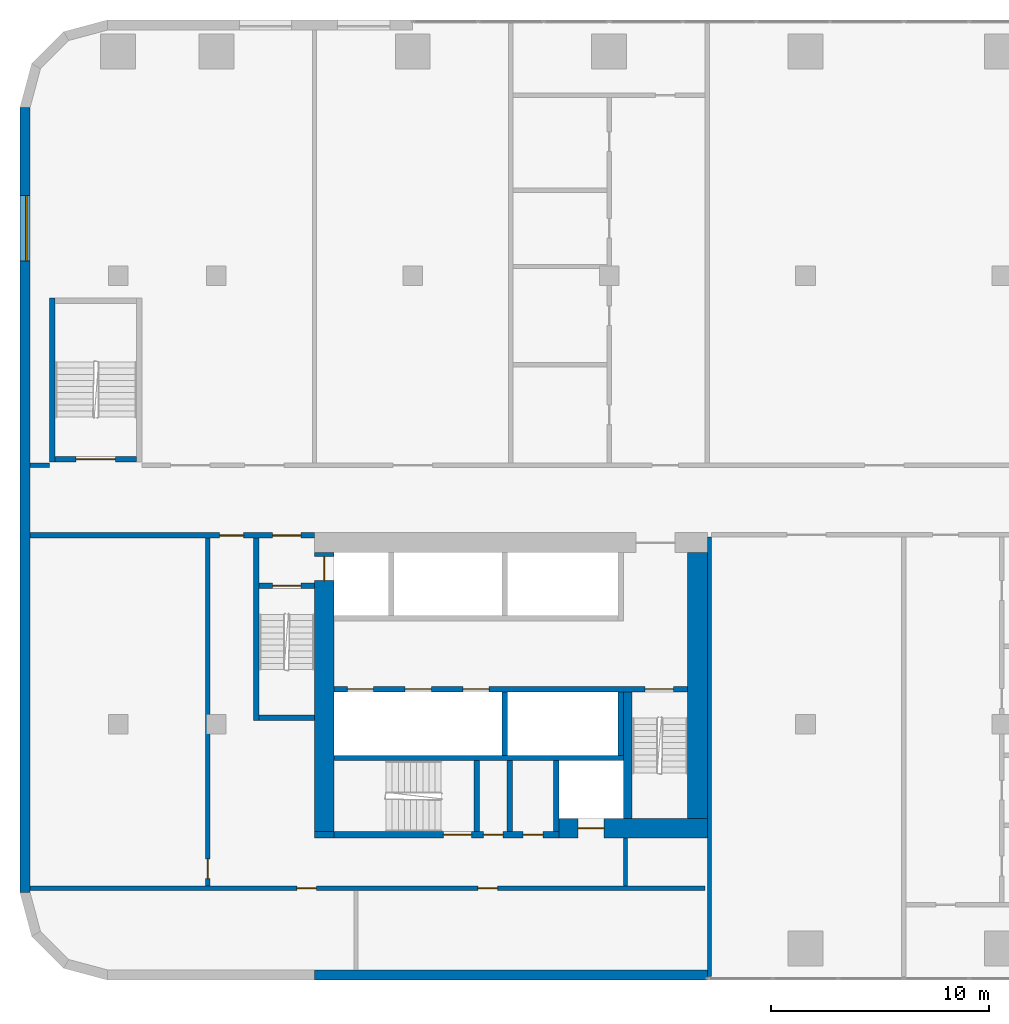
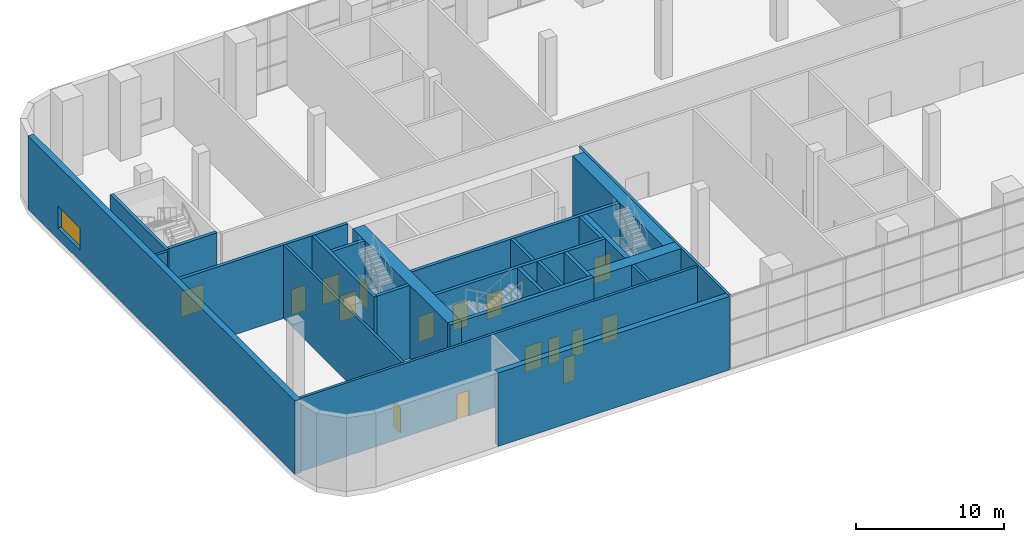
# One storey, part 8 of 24: 26 walls, 16 doors, 1 window, 17 openings.
"""IFC4 building model written with IfcOpenShell, lengths in metres."""

from ifc_helpers import new_model, si_unit, direction, frame, frame_2d, origin, place, context, subcontext, project, spatial, rectangle, extrude, material, layer, layer_set, type_object, element, fill, save


model = new_model("IFC4")

# Units and contexts
model_context = context("Model", 3, precision=1e-05, world=origin(), true_north=direction((0.0, 1.0)))
body_context = subcontext(model_context, "Body", "Model", "MODEL_VIEW")
ifc_project = project(units=[si_unit("LENGTHUNIT", "METRE"), si_unit("AREAUNIT", "SQUARE_METRE"), si_unit("VOLUMEUNIT", "CUBIC_METRE"), si_unit("PLANEANGLEUNIT", "RADIAN"), si_unit("MASSUNIT", "GRAM", prefix="KILO")], contexts=[model_context])

# Site, building, storey
site_placement = place(None, origin())
site = spatial("IfcSite", under=ifc_project, at=site_placement, CompositionType="ELEMENT")
building_placement = place(site_placement, origin())
building = spatial("IfcBuilding", under=site, at=building_placement, Name="Kajstack Hotel Tower", CompositionType="ELEMENT")
storey_placement = place(building_placement, frame((0.0, 0.0, 17.0)))
storey = spatial("IfcBuildingStorey", under=building, at=storey_placement, Name="L02", CompositionType="ELEMENT", Elevation=17.0)

# Wall, opening, door
ifc_material_1 = material(Name="Concrete C60/75", Category="concrete")
ifc_layer_1 = layer(ifc_material_1, 0.89990234375)
ifc_layer_set_1 = layer_set([ifc_layer_1], Name="Core wall 900")
wall_type_1 = type_object("IfcWallType", Name="Core wall 900", PredefinedType="SHEAR", material=ifc_layer_set_1)
wall_1_placement = place(storey_placement, frame((-20.300048828125, -15.050048828125, 0.0), z_axis=(0.0, 0.0, 1.0), x_axis=(1.0, 0.0, 0.0)))
wall_1 = element("IfcWall", 1, at=wall_1_placement, inside=storey, type_object=wall_type_1, Name="Core wall W RS", PredefinedType="SHEAR", context=body_context, shape_type="SweptSolid", body=[
    extrude(rectangle(XDim=6.800048828125, YDim=0.89990234375, at=frame_2d((3.39990234375, 0.0))), origin(), (0.0, 0.0, 1.0), 6.050048828125),
])
opening_1_placement = place(wall_1_placement, frame((0.875, 0.0, 0.0)))
opening_1 = element("IfcOpeningElement", 2, at=opening_1_placement, cuts=wall_1, Name="Opening LD-SV1", PredefinedType="OPENING", context=body_context, shape_type="SweptSolid", body=[
    extrude(rectangle(XDim=1.199951171875, YDim=2.10009765625, at=frame_2d((0.60009765625, 1.050048828125))), frame((0.0, 0.4599609375, 0.0), z_axis=(0.0, -1.0, 0.0), x_axis=(1.0, 0.0, 0.0)), (0.0, 0.0, 1.0), 0.919921875),
])
ifc_material_2 = material(Name="Stainless steel", Category="steel")
door_type_1 = type_object("IfcDoorType", Name="Lift landing door 1200", OperationType="SLIDING_TO_LEFT", PredefinedType="DOOR", material=ifc_material_2)
door_1_placement = place(opening_1_placement, origin())
door_1 = element("IfcDoor", 3, at=door_1_placement, inside=storey, type_object=door_type_1, Name="Landing door SV1", OperationType="SLIDING_TO_LEFT", OverallHeight=2.10009765625, OverallWidth=1.199951171875, PredefinedType="DOOR", context=body_context, shape_type="SweptSolid", body=[
    extrude(rectangle(XDim=1.199951171875, YDim=2.10009765625, at=frame_2d((0.60009765625, 1.050048828125))), frame((0.0, 0.02490234375, 0.0), z_axis=(0.0, -1.0, 0.0), x_axis=(1.0, 0.0, 0.0)), (0.0, 0.0, 1.0), 0.050048828125),
])
fill(opening_1, door_1)

# Wall
wall_2_placement = place(storey_placement, frame((-31.5, -15.35009765625, 0.0), z_axis=(0.0, 0.0, 1.0), x_axis=(1.0, 0.0, 0.0)))
element("IfcWall", 4, at=wall_2_placement, inside=storey, type_object=wall_type_1, Name="Core wall W RSW", PredefinedType="SHEAR", context=body_context, shape_type="SweptSolid", body=[
    extrude(rectangle(XDim=0.89990234375, YDim=0.300048828125, at=frame_2d((0.449951171875, 0.0))), origin(), (0.0, 0.0, 1.0), 6.050048828125),
])

# Wall, opening, door
wall_3_placement = place(storey_placement, frame((-31.050048828125, -15.199951171875, 0.0), z_axis=(0.0, 0.0, 1.0), x_axis=(0.0, 1.0, 0.0)))
wall_3 = element("IfcWall", 5, at=wall_3_placement, inside=storey, type_object=wall_type_1, Name="Core wall W RW", PredefinedType="SHEAR", context=body_context, shape_type="SweptSolid", body=[
    extrude(rectangle(XDim=12.800048828125, YDim=0.89990234375, at=frame_2d((6.39990234375, 0.0))), origin(), (0.0, 0.0, 1.0), 6.050048828125),
])
opening_2_placement = place(wall_3_placement, frame((11.5, 0.0, 0.0)))
opening_2 = element("IfcOpeningElement", 6, at=opening_2_placement, cuts=wall_3, Name="Opening LD-FF1", PredefinedType="OPENING", context=body_context, shape_type="SweptSolid", body=[
    extrude(rectangle(XDim=1.10009765625, YDim=2.10009765625, at=frame_2d((0.550048828125, 1.050048828125))), frame((0.0, 0.4599609375, 0.0), z_axis=(0.0, -1.0, 0.0), x_axis=(1.0, 0.0, 0.0)), (0.0, 0.0, 1.0), 0.919921875),
])
door_type_2 = type_object("IfcDoorType", Name="Fire-fighting lift landing door 1100", OperationType="SLIDING_TO_LEFT", PredefinedType="DOOR", material=ifc_material_2)
door_2_placement = place(opening_2_placement, origin())
door_2 = element("IfcDoor", 7, at=door_2_placement, inside=storey, type_object=door_type_2, Name="Landing door FF1", OperationType="SLIDING_TO_RIGHT", OverallHeight=2.10009765625, OverallWidth=1.10009765625, PredefinedType="DOOR", context=body_context, shape_type="SweptSolid", body=[
    extrude(rectangle(XDim=1.10009765625, YDim=2.10009765625, at=frame_2d((0.550048828125, 1.050048828125))), frame((0.0, 0.02490234375, 0.0), z_axis=(0.0, -1.0, 0.0), x_axis=(1.0, 0.0, 0.0)), (0.0, 0.0, 1.0), 0.050048828125),
])
fill(opening_2, door_2)

# Walls
wall_4_placement = place(storey_placement, frame((-13.949951171875, -14.60009765625, 0.0), z_axis=(0.0, 0.0, 1.0), x_axis=(0.0, 1.0, 0.0)))
element("IfcWall", 8, at=wall_4_placement, inside=storey, type_object=wall_type_1, Name="Core wall W RE", PredefinedType="SHEAR", context=body_context, shape_type="SweptSolid", body=[
    extrude(rectangle(XDim=12.2001953125, YDim=0.89990234375, at=frame_2d((6.10009765625, 0.0))), origin(), (0.0, 0.0, 1.0), 6.050048828125),
])
ifc_material_3 = material(Name="Concrete C40/50", Category="concrete")
ifc_layer_2 = layer(ifc_material_3, 0.449951171875)
ifc_layer_set_2 = layer_set([ifc_layer_2], Name="EW-CORE")
wall_type_2 = type_object("IfcWallType", Name="EW-CORE", PredefinedType="SOLIDWALL", material=ifc_layer_set_2)
wall_5_placement = place(storey_placement, frame((-31.5, -21.77490234375, 0.0), z_axis=(0.0, 0.0, 1.0), x_axis=(1.0, 0.0, 0.0)))
element("IfcWall", 9, at=wall_5_placement, inside=storey, type_object=wall_type_2, Name="E-wall-L02-03-01", PredefinedType="SOLIDWALL", context=body_context, shape_type="SweptSolid", body=[
    extrude(rectangle(XDim=18.0, YDim=0.449951171875, at=frame_2d((9.0, 0.0))), origin(), (0.0, 0.0, 1.0), 6.050048828125),
])

# Wall, opening, window
ifc_material_4 = material(Name="Terracotta-faced brick masonry", Category="masonry")
ifc_layer_3 = layer(ifc_material_4, 0.449951171875)
ifc_layer_set_3 = layer_set([ifc_layer_3], Name="EW-TERRA")
wall_type_3 = type_object("IfcWallType", Name="EW-TERRA", PredefinedType="SOLIDWALL", material=ifc_layer_set_3)
wall_6_placement = place(storey_placement, frame((-44.77490234375, 18.0, 0.0), z_axis=(0.0, 0.0, 1.0), x_axis=(0.0, -1.0, 0.0)))
wall_6 = element("IfcWall", 10, at=wall_6_placement, inside=storey, type_object=wall_type_3, Name="E-wall-L02-15-00", PredefinedType="SOLIDWALL", context=body_context, shape_type="SweptSolid", body=[
    extrude(rectangle(XDim=36.0, YDim=0.449951171875, at=frame_2d((18.0, 0.0))), origin(), (0.0, 0.0, 1.0), 6.050048828125),
])
opening_3_placement = place(wall_6_placement, frame((4.050048828125, 0.0, 0.89990234375)))
opening_3 = element("IfcOpeningElement", 11, at=opening_3_placement, cuts=wall_6, Name="Opening W5", PredefinedType="OPENING", context=body_context, shape_type="SweptSolid", body=[
    extrude(rectangle(XDim=3.0, YDim=1.800048828125, at=frame_2d((1.5, 0.89990234375))), frame((0.0, 0.23486328125, 0.0), z_axis=(0.0, -1.0, 0.0), x_axis=(1.0, 0.0, 0.0)), (0.0, 0.0, 1.0), 0.469970703125),
])
ifc_material_5 = material(Name="Timber-aluminium window, triple glazed", Category="wood")
window_type = type_object("IfcWindowType", Name="WP2", PartitioningType="SINGLE_PANEL", PredefinedType="WINDOW", material=ifc_material_5)
window_placement = place(opening_3_placement, origin())
window = element("IfcWindow", 12, at=window_placement, inside=storey, type_object=window_type, Name="Window W5 L02-15", OverallHeight=1.800048828125, OverallWidth=3.0, PartitioningType="SINGLE_PANEL", PredefinedType="WINDOW", context=body_context, shape_type="SweptSolid", body=[
    extrude(rectangle(XDim=3.0, YDim=1.800048828125, at=frame_2d((1.5, 0.89990234375))), frame((0.0, 0.090087890625, 0.0), z_axis=(0.0, -1.0, 0.0), x_axis=(1.0, 0.0, 0.0)), (0.0, 0.0, 1.0), 0.06005859375),
])
fill(opening_3, window)

# Walls
ifc_material_6 = material(Name="Concrete C50/60", Category="concrete")
ifc_layer_4 = layer(ifc_material_6, 0.300048828125)
ifc_layer_set_4 = layer_set([ifc_layer_4], Name="Hoistway divider wall 300")
wall_type_4 = type_object("IfcWallType", Name="Hoistway divider wall 300", PredefinedType="SHEAR", material=ifc_layer_set_4)
wall_7_placement = place(storey_placement, frame((-22.77490234375, -11.699951171875, 0.0), z_axis=(0.0, 0.0, 1.0), x_axis=(0.0, 1.0, 0.0)))
element("IfcWall", 13, at=wall_7_placement, inside=storey, type_object=wall_type_4, Name="Core wall W BP2", PredefinedType="SHEAR", context=body_context, shape_type="SweptSolid", body=[
    extrude(rectangle(XDim=2.89990234375, YDim=0.25, at=frame_2d((1.449951171875, 0.0))), origin(), (0.0, 0.0, 1.0), 6.050048828125),
])
ifc_material_7 = material(Name="Gypsum board on steel studs, mineral wool", Category="steel")
ifc_layer_5 = layer(ifc_material_7, 0.199951171875)
ifc_layer_set_5 = layer_set([ifc_layer_5], Name="Public partition 200")
wall_type_5 = type_object("IfcWallType", Name="Public partition 200", PredefinedType="PARTITIONING", material=ifc_layer_set_5)
wall_8_placement = place(storey_placement, frame((-44.550048828125, 1.60009765625, 0.0), z_axis=(0.0, 0.0, 1.0), x_axis=(1.0, 0.0, 0.0)))
element("IfcWall", 14, at=wall_8_placement, inside=storey, type_object=wall_type_5, Name="Partition FWW", PredefinedType="PARTITIONING", context=body_context, shape_type="SweptSolid", body=[
    extrude(rectangle(XDim=0.900146484375, YDim=0.199951171875, at=frame_2d((0.4501953125, 0.0))), origin(), (0.0, 0.0, 1.0), 6.050048828125),
])
wall_9_placement = place(storey_placement, frame((-13.39990234375, -21.85009765625, 0.0), z_axis=(0.0, 0.0, 1.0), x_axis=(0.0, 1.0, 0.0)))
element("IfcWall", 15, at=wall_9_placement, inside=storey, type_object=wall_type_5, Name="Partition SEW", PredefinedType="PARTITIONING", context=body_context, shape_type="SweptSolid", body=[
    extrude(rectangle(XDim=20.150146484375, YDim=0.199951171875, at=frame_2d((10.0751953125, 0.0))), origin(), (0.0, 0.0, 1.0), 6.050048828125),
])
ifc_material_8 = material(Name="Concrete block masonry", Category="masonry")
ifc_layer_6 = layer(ifc_material_8, 0.25)
ifc_layer_set_6 = layer_set([ifc_layer_6], Name="Riser partition 250")
wall_type_6 = type_object("IfcWallType", Name="Riser partition 250", PredefinedType="PARTITIONING", material=ifc_layer_set_6)
wall_10_placement = place(storey_placement, frame((-22.550048828125, -15.199951171875, 0.0), z_axis=(0.0, 0.0, 1.0), x_axis=(0.0, 1.0, 0.0)))
element("IfcWall", 16, at=wall_10_placement, inside=storey, type_object=wall_type_6, Name="Partition W SZ0", PredefinedType="PARTITIONING", context=body_context, shape_type="SweptSolid", body=[
    extrude(rectangle(XDim=3.25, YDim=0.25, at=frame_2d((1.625, 0.0))), origin(), (0.0, 0.0, 1.0), 6.050048828125),
])

# Wall, openings, doors
ifc_layer_7 = layer(ifc_material_7, 0.199951171875)
ifc_layer_set_7 = layer_set([ifc_layer_7], Name="Service partition 200")
wall_type_7 = type_object("IfcWallType", Name="Service partition 200", PredefinedType="PARTITIONING", material=ifc_layer_set_7)
wall_11_placement = place(storey_placement, frame((-44.550048828125, -1.625, 0.0), z_axis=(0.0, 0.0, 1.0), x_axis=(1.0, 0.0, 0.0)))
wall_11 = element("IfcWall", 17, at=wall_11_placement, inside=storey, type_object=wall_type_7, Name="Partition W SN", PredefinedType="PARTITIONING", context=body_context, shape_type="SweptSolid", body=[
    extrude(rectangle(XDim=13.050048828125, YDim=0.25, at=frame_2d((6.52490234375, 0.0))), origin(), (0.0, 0.0, 1.0), 6.050048828125),
])
opening_4_placement = place(wall_11_placement, frame((11.125, 0.0, 0.0)))
opening_4 = element("IfcOpeningElement", 18, at=opening_4_placement, cuts=wall_11, Name="Opening 02W07", PredefinedType="OPENING", context=body_context, shape_type="SweptSolid", body=[
    extrude(rectangle(XDim=1.300048828125, YDim=2.10009765625, at=frame_2d((0.64990234375, 1.050048828125))), frame((0.0, 0.135009765625, 0.0), z_axis=(0.0, -1.0, 0.0), x_axis=(1.0, 0.0, 0.0)), (0.0, 0.0, 1.0), 0.27001953125),
])
opening_5_placement = place(wall_11_placement, frame((8.699951171875, 0.0, 0.0)))
opening_5 = element("IfcOpeningElement", 19, at=opening_5_placement, cuts=wall_11, Name="Opening 02W09", PredefinedType="OPENING", context=body_context, shape_type="SweptSolid", body=[
    extrude(rectangle(XDim=1.10009765625, YDim=2.10009765625, at=frame_2d((0.550048828125, 1.050048828125))), frame((0.0, 0.135009765625, 0.0), z_axis=(0.0, -1.0, 0.0), x_axis=(1.0, 0.0, 0.0)), (0.0, 0.0, 1.0), 0.27001953125),
])
ifc_material_9 = material(Name="Steel leaf, fire-rated", Category="steel")
door_type_3 = type_object("IfcDoorType", Name="Fire lobby door 1300", OperationType="SINGLE_SWING_LEFT", PredefinedType="DOOR", material=ifc_material_9)
door_3_placement = place(opening_4_placement, origin())
door_3 = element("IfcDoor", 20, at=door_3_placement, inside=storey, type_object=door_type_3, Name="Door 02W07", OperationType="SINGLE_SWING_RIGHT", OverallHeight=2.10009765625, OverallWidth=1.300048828125, PredefinedType="DOOR", context=body_context, shape_type="SweptSolid", body=[
    extrude(rectangle(XDim=1.300048828125, YDim=2.10009765625, at=frame_2d((0.64990234375, 1.050048828125))), frame((0.0, 0.02490234375, 0.0), z_axis=(0.0, -1.0, 0.0), x_axis=(1.0, 0.0, 0.0)), (0.0, 0.0, 1.0), 0.050048828125),
])
fill(opening_4, door_3)
ifc_material_10 = material(Name="Timber leaf, fire-rated", Category="wood")
door_type_4 = type_object("IfcDoorType", Name="Service corridor door 1100", OperationType="SINGLE_SWING_LEFT", PredefinedType="DOOR", material=ifc_material_10)
door_4_placement = place(opening_5_placement, origin())
door_4 = element("IfcDoor", 21, at=door_4_placement, inside=storey, type_object=door_type_4, Name="Door 02W09", OperationType="SINGLE_SWING_RIGHT", OverallHeight=2.10009765625, OverallWidth=1.10009765625, PredefinedType="DOOR", context=body_context, shape_type="SweptSolid", body=[
    extrude(rectangle(XDim=1.10009765625, YDim=2.10009765625, at=frame_2d((0.550048828125, 1.050048828125))), frame((0.0, 0.02490234375, 0.0), z_axis=(0.0, -1.0, 0.0), x_axis=(1.0, 0.0, 0.0)), (0.0, 0.0, 1.0), 0.050048828125),
])
fill(opening_5, door_4)

# Wall
wall_12_placement = place(storey_placement, frame((-17.25, -17.699951171875, 0.0), z_axis=(0.0, 0.0, 1.0), x_axis=(0.0, 1.0, 0.0)))
element("IfcWall", 22, at=wall_12_placement, inside=storey, type_object=wall_type_7, Name="Partition W SCE", PredefinedType="PARTITIONING", context=body_context, shape_type="SweptSolid", body=[
    extrude(rectangle(XDim=2.199951171875, YDim=0.199951171875, at=frame_2d((1.10009765625, 0.0))), origin(), (0.0, 0.0, 1.0), 6.050048828125),
])

# Wall, opening, door
wall_13_placement = place(storey_placement, frame((-36.39990234375, -17.699951171875, 0.0), z_axis=(0.0, 0.0, 1.0), x_axis=(0.0, 1.0, 0.0)))
wall_13 = element("IfcWall", 23, at=wall_13_placement, inside=storey, type_object=wall_type_7, Name="Partition W WRE", PredefinedType="PARTITIONING", context=body_context, shape_type="SweptSolid", body=[
    extrude(rectangle(XDim=15.949951171875, YDim=0.199951171875, at=frame_2d((7.97509765625, 0.0))), origin(), (0.0, 0.0, 1.0), 6.050048828125),
])
opening_6_placement = place(wall_13_placement, frame((0.35009765625, 0.0, 0.0)))
opening_6 = element("IfcOpeningElement", 24, at=opening_6_placement, cuts=wall_13, Name="Opening 02W16", PredefinedType="OPENING", context=body_context, shape_type="SweptSolid", body=[
    extrude(rectangle(XDim=0.89990234375, YDim=2.10009765625, at=frame_2d((0.449951171875, 1.050048828125))), frame((0.0, 0.10986328125, 0.0), z_axis=(0.0, -1.0, 0.0), x_axis=(1.0, 0.0, 0.0)), (0.0, 0.0, 1.0), 0.219970703125),
])
door_type_5 = type_object("IfcDoorType", Name="Service door 900", OperationType="SINGLE_SWING_LEFT", PredefinedType="DOOR", material=ifc_material_10)
door_5_placement = place(opening_6_placement, origin())
door_5 = element("IfcDoor", 25, at=door_5_placement, inside=storey, type_object=door_type_5, Name="Door 02W16", OperationType="SINGLE_SWING_LEFT", OverallHeight=2.10009765625, OverallWidth=0.89990234375, PredefinedType="DOOR", context=body_context, shape_type="SweptSolid", body=[
    extrude(rectangle(XDim=0.89990234375, YDim=2.10009765625, at=frame_2d((0.449951171875, 1.050048828125))), frame((0.0, 0.02490234375, 0.0), z_axis=(0.0, -1.0, 0.0), x_axis=(1.0, 0.0, 0.0)), (0.0, 0.0, 1.0), 0.050048828125),
])
fill(opening_6, door_5)

# Wall, openings, doors
wall_14_placement = place(storey_placement, frame((-44.550048828125, -17.800048828125, 0.0), z_axis=(0.0, 0.0, 1.0), x_axis=(1.0, 0.0, 0.0)))
wall_14 = element("IfcWall", 26, at=wall_14_placement, inside=storey, type_object=wall_type_7, Name="Partition W SLN", PredefinedType="PARTITIONING", context=body_context, shape_type="SweptSolid", body=[
    extrude(rectangle(XDim=30.949951171875, YDim=0.199951171875, at=frame_2d((15.47509765625, 0.0))), origin(), (0.0, 0.0, 1.0), 6.050048828125),
])
opening_7_placement = place(wall_14_placement, frame((12.237548828125, 0.0, 0.0)))
opening_7 = element("IfcOpeningElement", 27, at=opening_7_placement, cuts=wall_14, Name="Opening 02W14", PredefinedType="OPENING", context=body_context, shape_type="SweptSolid", body=[
    extrude(rectangle(XDim=0.89990234375, YDim=2.10009765625, at=frame_2d((0.449951171875, 1.050048828125))), frame((0.0, 0.10986328125, 0.0), z_axis=(0.0, -1.0, 0.0), x_axis=(1.0, 0.0, 0.0)), (0.0, 0.0, 1.0), 0.219970703125),
])
opening_8_placement = place(wall_14_placement, frame((20.53759765625, 0.0, 0.0)))
opening_8 = element("IfcOpeningElement", 28, at=opening_8_placement, cuts=wall_14, Name="Opening 02W15", PredefinedType="OPENING", context=body_context, shape_type="SweptSolid", body=[
    extrude(rectangle(XDim=0.89990234375, YDim=2.10009765625, at=frame_2d((0.449951171875, 1.050048828125))), frame((0.0, 0.10986328125, 0.0), z_axis=(0.0, -1.0, 0.0), x_axis=(1.0, 0.0, 0.0)), (0.0, 0.0, 1.0), 0.219970703125),
])
door_6_placement = place(opening_7_placement, origin())
door_6 = element("IfcDoor", 29, at=door_6_placement, inside=storey, type_object=door_type_5, Name="Door 02W14", OperationType="SINGLE_SWING_RIGHT", OverallHeight=2.10009765625, OverallWidth=0.89990234375, PredefinedType="DOOR", context=body_context, shape_type="SweptSolid", body=[
    extrude(rectangle(XDim=0.89990234375, YDim=2.10009765625, at=frame_2d((0.449951171875, 1.050048828125))), frame((0.0, 0.02490234375, 0.0), z_axis=(0.0, -1.0, 0.0), x_axis=(1.0, 0.0, 0.0)), (0.0, 0.0, 1.0), 0.050048828125),
])
fill(opening_7, door_6)
door_7_placement = place(opening_8_placement, origin())
door_7 = element("IfcDoor", 30, at=door_7_placement, inside=storey, type_object=door_type_5, Name="Door 02W15", OperationType="SINGLE_SWING_RIGHT", OverallHeight=2.10009765625, OverallWidth=0.89990234375, PredefinedType="DOOR", context=body_context, shape_type="SweptSolid", body=[
    extrude(rectangle(XDim=0.89990234375, YDim=2.10009765625, at=frame_2d((0.449951171875, 1.050048828125))), frame((0.0, 0.02490234375, 0.0), z_axis=(0.0, -1.0, 0.0), x_axis=(1.0, 0.0, 0.0)), (0.0, 0.0, 1.0), 0.050048828125),
])
fill(opening_8, door_7)

ifc_layer_8 = layer(ifc_material_6, 0.25)
ifc_layer_set_8 = layer_set([ifc_layer_8], Name="Shaft wall 250")
wall_type_8 = type_object("IfcWallType", Name="Shaft wall 250", PredefinedType="SHEAR", material=ifc_layer_set_8)
wall_15_placement = place(storey_placement, frame((-30.60009765625, -15.35009765625, 0.0), z_axis=(0.0, 0.0, 1.0), x_axis=(1.0, 0.0, 0.0)))
wall_15 = element("IfcWall", 31, at=wall_15_placement, inside=storey, type_object=wall_type_8, Name="Core wall W RSS", PredefinedType="SHEAR", context=body_context, shape_type="SweptSolid", body=[
    extrude(rectangle(XDim=10.300048828125, YDim=0.300048828125, at=frame_2d((5.14990234375, 0.0))), origin(), (0.0, 0.0, 1.0), 6.050048828125),
])
opening_9_placement = place(wall_15_placement, frame((5.0, 0.0, 0.0)))
opening_9 = element("IfcOpeningElement", 32, at=opening_9_placement, cuts=wall_15, Name="Opening 02W11", PredefinedType="OPENING", context=body_context, shape_type="SweptSolid", body=[
    extrude(rectangle(XDim=1.300048828125, YDim=2.10009765625, at=frame_2d((0.64990234375, 1.050048828125))), frame((0.0, 0.159912109375, 0.0), z_axis=(0.0, -1.0, 0.0), x_axis=(1.0, 0.0, 0.0)), (0.0, 0.0, 1.0), 0.320068359375),
])
opening_10_placement = place(wall_15_placement, frame((6.83740234375, 0.0, 0.0)))
opening_10 = element("IfcOpeningElement", 33, at=opening_10_placement, cuts=wall_15, Name="Opening 02W12", PredefinedType="OPENING", context=body_context, shape_type="SweptSolid", body=[
    extrude(rectangle(XDim=0.89990234375, YDim=2.10009765625, at=frame_2d((0.449951171875, 1.050048828125))), frame((0.0, 0.159912109375, 0.0), z_axis=(0.0, -1.0, 0.0), x_axis=(1.0, 0.0, 0.0)), (0.0, 0.0, 1.0), 0.320068359375),
])
opening_11_placement = place(wall_15_placement, frame((8.66259765625, 0.0, 0.0)))
opening_11 = element("IfcOpeningElement", 34, at=opening_11_placement, cuts=wall_15, Name="Opening 02W13", PredefinedType="OPENING", context=body_context, shape_type="SweptSolid", body=[
    extrude(rectangle(XDim=0.89990234375, YDim=2.10009765625, at=frame_2d((0.449951171875, 1.050048828125))), frame((0.0, 0.159912109375, 0.0), z_axis=(0.0, -1.0, 0.0), x_axis=(1.0, 0.0, 0.0)), (0.0, 0.0, 1.0), 0.320068359375),
])
door_type_6 = type_object("IfcDoorType", Name="Riser door 900", OperationType="SINGLE_SWING_LEFT", PredefinedType="DOOR", material=ifc_material_9)
door_8_placement = place(opening_11_placement, origin())
door_8 = element("IfcDoor", 35, at=door_8_placement, inside=storey, type_object=door_type_6, Name="Door 02W13", OperationType="SINGLE_SWING_LEFT", OverallHeight=2.10009765625, OverallWidth=0.89990234375, PredefinedType="DOOR", context=body_context, shape_type="SweptSolid", body=[
    extrude(rectangle(XDim=0.89990234375, YDim=2.10009765625, at=frame_2d((0.449951171875, 1.050048828125))), frame((0.0, 0.02490234375, 0.0), z_axis=(0.0, -1.0, 0.0), x_axis=(1.0, 0.0, 0.0)), (0.0, 0.0, 1.0), 0.050048828125),
])
fill(opening_11, door_8)
door_9_placement = place(opening_10_placement, origin())
door_9 = element("IfcDoor", 36, at=door_9_placement, inside=storey, type_object=door_type_5, Name="Door 02W12", OperationType="SINGLE_SWING_LEFT", OverallHeight=2.10009765625, OverallWidth=0.89990234375, PredefinedType="DOOR", context=body_context, shape_type="SweptSolid", body=[
    extrude(rectangle(XDim=0.89990234375, YDim=2.10009765625, at=frame_2d((0.449951171875, 1.050048828125))), frame((0.0, 0.02490234375, 0.0), z_axis=(0.0, -1.0, 0.0), x_axis=(1.0, 0.0, 0.0)), (0.0, 0.0, 1.0), 0.050048828125),
])
fill(opening_10, door_9)
door_type_7 = type_object("IfcDoorType", Name="Stair door 1300", OperationType="SINGLE_SWING_LEFT", PredefinedType="DOOR", material=ifc_material_9)
door_10_placement = place(opening_9_placement, origin())
door_10 = element("IfcDoor", 37, at=door_10_placement, inside=storey, type_object=door_type_7, Name="Door 02W11", OperationType="SINGLE_SWING_RIGHT", OverallHeight=2.10009765625, OverallWidth=1.300048828125, PredefinedType="DOOR", context=body_context, shape_type="SweptSolid", body=[
    extrude(rectangle(XDim=1.300048828125, YDim=2.10009765625, at=frame_2d((0.64990234375, 1.050048828125))), frame((0.0, 0.02490234375, 0.0), z_axis=(0.0, -1.0, 0.0), x_axis=(1.0, 0.0, 0.0)), (0.0, 0.0, 1.0), 0.050048828125),
])
fill(opening_9, door_10)

wall_16_placement = place(storey_placement, frame((-30.60009765625, -8.675048828125, 0.0), z_axis=(0.0, 0.0, 1.0), x_axis=(1.0, 0.0, 0.0)))
wall_16 = element("IfcWall", 38, at=wall_16_placement, inside=storey, type_object=wall_type_8, Name="Core wall W FB", PredefinedType="SHEAR", context=body_context, shape_type="SweptSolid", body=[
    extrude(rectangle(XDim=16.2001953125, YDim=0.25, at=frame_2d((8.10009765625, 0.0))), origin(), (0.0, 0.0, 1.0), 6.050048828125),
])
opening_12_placement = place(wall_16_placement, frame((0.60009765625, 0.0, 0.0)))
opening_12 = element("IfcOpeningElement", 39, at=opening_12_placement, cuts=wall_16, Name="Opening LD-LR1", PredefinedType="OPENING", context=body_context, shape_type="SweptSolid", body=[
    extrude(rectangle(XDim=1.199951171875, YDim=2.10009765625, at=frame_2d((0.60009765625, 1.050048828125))), frame((0.0, 0.135009765625, 0.0), z_axis=(0.0, -1.0, 0.0), x_axis=(1.0, 0.0, 0.0)), (0.0, 0.0, 1.0), 0.27001953125),
])
opening_13_placement = place(wall_16_placement, frame((3.25, 0.0, 0.0)))
opening_13 = element("IfcOpeningElement", 40, at=opening_13_placement, cuts=wall_16, Name="Opening LD-LR2", PredefinedType="OPENING", context=body_context, shape_type="SweptSolid", body=[
    extrude(rectangle(XDim=1.199951171875, YDim=2.10009765625, at=frame_2d((0.60009765625, 1.050048828125))), frame((0.0, 0.135009765625, 0.0), z_axis=(0.0, -1.0, 0.0), x_axis=(1.0, 0.0, 0.0)), (0.0, 0.0, 1.0), 0.27001953125),
])
opening_14_placement = place(wall_16_placement, frame((5.89990234375, 0.0, 0.0)))
opening_14 = element("IfcOpeningElement", 41, at=opening_14_placement, cuts=wall_16, Name="Opening LD-LR3", PredefinedType="OPENING", context=body_context, shape_type="SweptSolid", body=[
    extrude(rectangle(XDim=1.199951171875, YDim=2.10009765625, at=frame_2d((0.60009765625, 1.050048828125))), frame((0.0, 0.135009765625, 0.0), z_axis=(0.0, -1.0, 0.0), x_axis=(1.0, 0.0, 0.0)), (0.0, 0.0, 1.0), 0.27001953125),
])
opening_15_placement = place(wall_16_placement, frame((14.25, 0.0, 0.0)))
opening_15 = element("IfcOpeningElement", 42, at=opening_15_placement, cuts=wall_16, Name="Opening 02W10", PredefinedType="OPENING", context=body_context, shape_type="SweptSolid", body=[
    extrude(rectangle(XDim=1.300048828125, YDim=2.10009765625, at=frame_2d((0.64990234375, 1.050048828125))), frame((0.0, 0.135009765625, 0.0), z_axis=(0.0, -1.0, 0.0), x_axis=(1.0, 0.0, 0.0)), (0.0, 0.0, 1.0), 0.27001953125),
])
door_11_placement = place(opening_12_placement, origin())
door_11 = element("IfcDoor", 43, at=door_11_placement, inside=storey, type_object=door_type_1, Name="Landing door LR1", OperationType="SLIDING_TO_LEFT", OverallHeight=2.10009765625, OverallWidth=1.199951171875, PredefinedType="DOOR", context=body_context, shape_type="SweptSolid", body=[
    extrude(rectangle(XDim=1.199951171875, YDim=2.10009765625, at=frame_2d((0.60009765625, 1.050048828125))), frame((0.0, 0.02490234375, 0.0), z_axis=(0.0, -1.0, 0.0), x_axis=(1.0, 0.0, 0.0)), (0.0, 0.0, 1.0), 0.050048828125),
])
fill(opening_12, door_11)
door_12_placement = place(opening_13_placement, origin())
door_12 = element("IfcDoor", 44, at=door_12_placement, inside=storey, type_object=door_type_1, Name="Landing door LR2", OperationType="SLIDING_TO_RIGHT", OverallHeight=2.10009765625, OverallWidth=1.199951171875, PredefinedType="DOOR", context=body_context, shape_type="SweptSolid", body=[
    extrude(rectangle(XDim=1.199951171875, YDim=2.10009765625, at=frame_2d((0.60009765625, 1.050048828125))), frame((0.0, 0.02490234375, 0.0), z_axis=(0.0, -1.0, 0.0), x_axis=(1.0, 0.0, 0.0)), (0.0, 0.0, 1.0), 0.050048828125),
])
fill(opening_13, door_12)
door_13_placement = place(opening_14_placement, origin())
door_13 = element("IfcDoor", 45, at=door_13_placement, inside=storey, type_object=door_type_1, Name="Landing door LR3", OperationType="SLIDING_TO_RIGHT", OverallHeight=2.10009765625, OverallWidth=1.199951171875, PredefinedType="DOOR", context=body_context, shape_type="SweptSolid", body=[
    extrude(rectangle(XDim=1.199951171875, YDim=2.10009765625, at=frame_2d((0.60009765625, 1.050048828125))), frame((0.0, 0.02490234375, 0.0), z_axis=(0.0, -1.0, 0.0), x_axis=(1.0, 0.0, 0.0)), (0.0, 0.0, 1.0), 0.050048828125),
])
fill(opening_14, door_13)
door_14_placement = place(opening_15_placement, origin())
door_14 = element("IfcDoor", 46, at=door_14_placement, inside=storey, type_object=door_type_7, Name="Door 02W10", OperationType="SINGLE_SWING_RIGHT", OverallHeight=2.10009765625, OverallWidth=1.300048828125, PredefinedType="DOOR", context=body_context, shape_type="SweptSolid", body=[
    extrude(rectangle(XDim=1.300048828125, YDim=2.10009765625, at=frame_2d((0.64990234375, 1.050048828125))), frame((0.0, 0.02490234375, 0.0), z_axis=(0.0, -1.0, 0.0), x_axis=(1.0, 0.0, 0.0)), (0.0, 0.0, 1.0), 0.050048828125),
])
fill(opening_15, door_14)

# Walls
wall_17_placement = place(storey_placement, frame((-30.60009765625, -11.824951171875, 0.0), z_axis=(0.0, 0.0, 1.0), x_axis=(1.0, 0.0, 0.0)))
element("IfcWall", 47, at=wall_17_placement, inside=storey, type_object=wall_type_8, Name="Core wall W RB", PredefinedType="SHEAR", context=body_context, shape_type="SweptSolid", body=[
    extrude(rectangle(XDim=13.25, YDim=0.25, at=frame_2d((6.625, 0.0))), origin(), (0.0, 0.0, 1.0), 6.050048828125),
])
wall_18_placement = place(storey_placement, frame((-17.47509765625, -11.699951171875, 0.0), z_axis=(0.0, 0.0, 1.0), x_axis=(0.0, 1.0, 0.0)))
element("IfcWall", 48, at=wall_18_placement, inside=storey, type_object=wall_type_8, Name="Core wall W BE", PredefinedType="SHEAR", context=body_context, shape_type="SweptSolid", body=[
    extrude(rectangle(XDim=2.89990234375, YDim=0.25, at=frame_2d((1.449951171875, 0.0))), origin(), (0.0, 0.0, 1.0), 6.050048828125),
])
wall_19_placement = place(storey_placement, frame((-20.425048828125, -15.199951171875, 0.0), z_axis=(0.0, 0.0, 1.0), x_axis=(0.0, 1.0, 0.0)))
element("IfcWall", 49, at=wall_19_placement, inside=storey, type_object=wall_type_8, Name="Core wall W SVW", PredefinedType="SHEAR", context=body_context, shape_type="SweptSolid", body=[
    extrude(rectangle(XDim=3.25, YDim=0.25, at=frame_2d((1.625, 0.0))), origin(), (0.0, 0.0, 1.0), 6.050048828125),
])

# Wall, opening, door
ifc_layer_9 = layer(ifc_material_3, 0.25)
ifc_layer_set_9 = layer_set([ifc_layer_9], Name="Stair enclosure wall 250")
wall_type_9 = type_object("IfcWallType", Name="Stair enclosure wall 250", PredefinedType="SHEAR", material=ifc_layer_set_9)
wall_20_placement = place(storey_placement, frame((-34.050048828125, -3.925048828125, 0.0), z_axis=(0.0, 0.0, 1.0), x_axis=(1.0, 0.0, 0.0)))
wall_20 = element("IfcWall", 50, at=wall_20_placement, inside=storey, type_object=wall_type_9, Name="Core wall W W1N", PredefinedType="SHEAR", context=body_context, shape_type="SweptSolid", body=[
    extrude(rectangle(XDim=2.550048828125, YDim=0.25, at=frame_2d((1.27490234375, 0.0))), origin(), (0.0, 0.0, 1.0), 6.050048828125),
])
opening_16_placement = place(wall_20_placement, frame((0.625, 0.0, 0.0)))
opening_16 = element("IfcOpeningElement", 51, at=opening_16_placement, cuts=wall_20, Name="Opening 02W08", PredefinedType="OPENING", context=body_context, shape_type="SweptSolid", body=[
    extrude(rectangle(XDim=1.300048828125, YDim=2.10009765625, at=frame_2d((0.64990234375, 1.050048828125))), frame((0.0, 0.135009765625, 0.0), z_axis=(0.0, -1.0, 0.0), x_axis=(1.0, 0.0, 0.0)), (0.0, 0.0, 1.0), 0.27001953125),
])
door_15_placement = place(opening_16_placement, origin())
door_15 = element("IfcDoor", 52, at=door_15_placement, inside=storey, type_object=door_type_7, Name="Door 02W08", OperationType="SINGLE_SWING_RIGHT", OverallHeight=2.10009765625, OverallWidth=1.300048828125, PredefinedType="DOOR", context=body_context, shape_type="SweptSolid", body=[
    extrude(rectangle(XDim=1.300048828125, YDim=2.10009765625, at=frame_2d((0.64990234375, 1.050048828125))), frame((0.0, 0.02490234375, 0.0), z_axis=(0.0, -1.0, 0.0), x_axis=(1.0, 0.0, 0.0)), (0.0, 0.0, 1.0), 0.050048828125),
])
fill(opening_16, door_15)

# Walls
wall_21_placement = place(storey_placement, frame((-34.175048828125, -10.10009765625, 0.0), z_axis=(0.0, 0.0, 1.0), x_axis=(0.0, 1.0, 0.0)))
element("IfcWall", 53, at=wall_21_placement, inside=storey, type_object=wall_type_9, Name="Core wall W W1W", PredefinedType="SHEAR", context=body_context, shape_type="SweptSolid", body=[
    extrude(rectangle(XDim=8.35009765625, YDim=0.25, at=frame_2d((4.175048828125, 0.0))), origin(), (0.0, 0.0, 1.0), 6.050048828125),
])
wall_22_placement = place(storey_placement, frame((-34.050048828125, -9.97509765625, 0.0), z_axis=(0.0, 0.0, 1.0), x_axis=(1.0, 0.0, 0.0)))
element("IfcWall", 54, at=wall_22_placement, inside=storey, type_object=wall_type_9, Name="Core wall W W1S", PredefinedType="SHEAR", context=body_context, shape_type="SweptSolid", body=[
    extrude(rectangle(XDim=2.550048828125, YDim=0.25, at=frame_2d((1.27490234375, 0.0))), origin(), (0.0, 0.0, 1.0), 6.050048828125),
])
wall_23_placement = place(storey_placement, frame((-43.52490234375, 1.75, 0.0), z_axis=(0.0, 0.0, 1.0), x_axis=(0.0, 1.0, 0.0)))
element("IfcWall", 55, at=wall_23_placement, inside=storey, type_object=wall_type_9, Name="Stair wall P1 W", PredefinedType="SHEAR", context=body_context, shape_type="SweptSolid", body=[
    extrude(rectangle(XDim=7.5, YDim=0.25, at=frame_2d((3.75, 0.0))), origin(), (0.0, 0.0, 1.0), 6.050048828125),
])

# Wall, opening, door
wall_24_placement = place(storey_placement, frame((-43.39990234375, 1.875, 0.0), z_axis=(0.0, 0.0, 1.0), x_axis=(1.0, 0.0, 0.0)))
wall_24 = element("IfcWall", 56, at=wall_24_placement, inside=storey, type_object=wall_type_9, Name="Stair wall P1 N", PredefinedType="SHEAR", context=body_context, shape_type="SweptSolid", body=[
    extrude(rectangle(XDim=3.75, YDim=0.25, at=frame_2d((1.875, 0.0))), origin(), (0.0, 0.0, 1.0), 6.050048828125),
])
opening_17_placement = place(wall_24_placement, frame((0.97509765625, 0.0, 0.0)))
opening_17 = element("IfcOpeningElement", 57, at=opening_17_placement, cuts=wall_24, Name="Opening 02P1", PredefinedType="OPENING", context=body_context, shape_type="SweptSolid", body=[
    extrude(rectangle(XDim=1.800048828125, YDim=2.10009765625, at=frame_2d((0.89990234375, 1.050048828125))), frame((0.0, 0.135009765625, 0.0), z_axis=(0.0, -1.0, 0.0), x_axis=(1.0, 0.0, 0.0)), (0.0, 0.0, 1.0), 0.27001953125),
])
door_type_8 = type_object("IfcDoorType", Name="Stair door 1800", OperationType="DOUBLE_DOOR_DOUBLE_SWING", PredefinedType="DOOR", material=ifc_material_9)
door_16_placement = place(opening_17_placement, origin())
door_16 = element("IfcDoor", 58, at=door_16_placement, inside=storey, type_object=door_type_8, Name="Door 02P1", OperationType="DOUBLE_DOOR_DOUBLE_SWING", OverallHeight=2.10009765625, OverallWidth=1.800048828125, PredefinedType="DOOR", context=body_context, shape_type="SweptSolid", body=[
    extrude(rectangle(XDim=1.800048828125, YDim=2.10009765625, at=frame_2d((0.89990234375, 1.050048828125))), frame((0.0, 0.02490234375, 0.0), z_axis=(0.0, -1.0, 0.0), x_axis=(1.0, 0.0, 0.0)), (0.0, 0.0, 1.0), 0.050048828125),
])
fill(opening_17, door_16)

# Walls
ifc_layer_10 = layer(ifc_material_6, 0.35009765625)
ifc_layer_set_10 = layer_set([ifc_layer_10], Name="Stair enclosure wall 350")
wall_type_10 = type_object("IfcWallType", Name="Stair enclosure wall 350", PredefinedType="SHEAR", material=ifc_layer_set_10)
wall_25_placement = place(storey_placement, frame((-24.074951171875, -15.199951171875, 0.0), z_axis=(0.0, 0.0, 1.0), x_axis=(0.0, 1.0, 0.0)))
element("IfcWall", 59, at=wall_25_placement, inside=storey, type_object=wall_type_10, Name="Core wall W W3E", PredefinedType="SHEAR", context=body_context, shape_type="SweptSolid", body=[
    extrude(rectangle(XDim=3.25, YDim=0.25, at=frame_2d((1.625, 0.0))), origin(), (0.0, 0.0, 1.0), 6.050048828125),
])
ifc_layer_11 = layer(ifc_material_6, 0.39990234375)
ifc_layer_set_11 = layer_set([ifc_layer_11], Name="Stair wall 400")
wall_type_11 = type_object("IfcWallType", Name="Stair wall 400", PredefinedType="SHEAR", material=ifc_layer_set_11)
wall_26_placement = place(storey_placement, frame((-17.14990234375, -14.60009765625, 0.0), z_axis=(0.0, 0.0, 1.0), x_axis=(0.0, 1.0, 0.0)))
element("IfcWall", 60, at=wall_26_placement, inside=storey, type_object=wall_type_11, Name="Core wall W WW2", PredefinedType="SHEAR", context=body_context, shape_type="SweptSolid", body=[
    extrude(rectangle(XDim=5.800048828125, YDim=0.39990234375, at=frame_2d((2.89990234375, 0.0))), origin(), (0.0, 0.0, 1.0), 6.050048828125),
])

save(model, "model.ifc")
